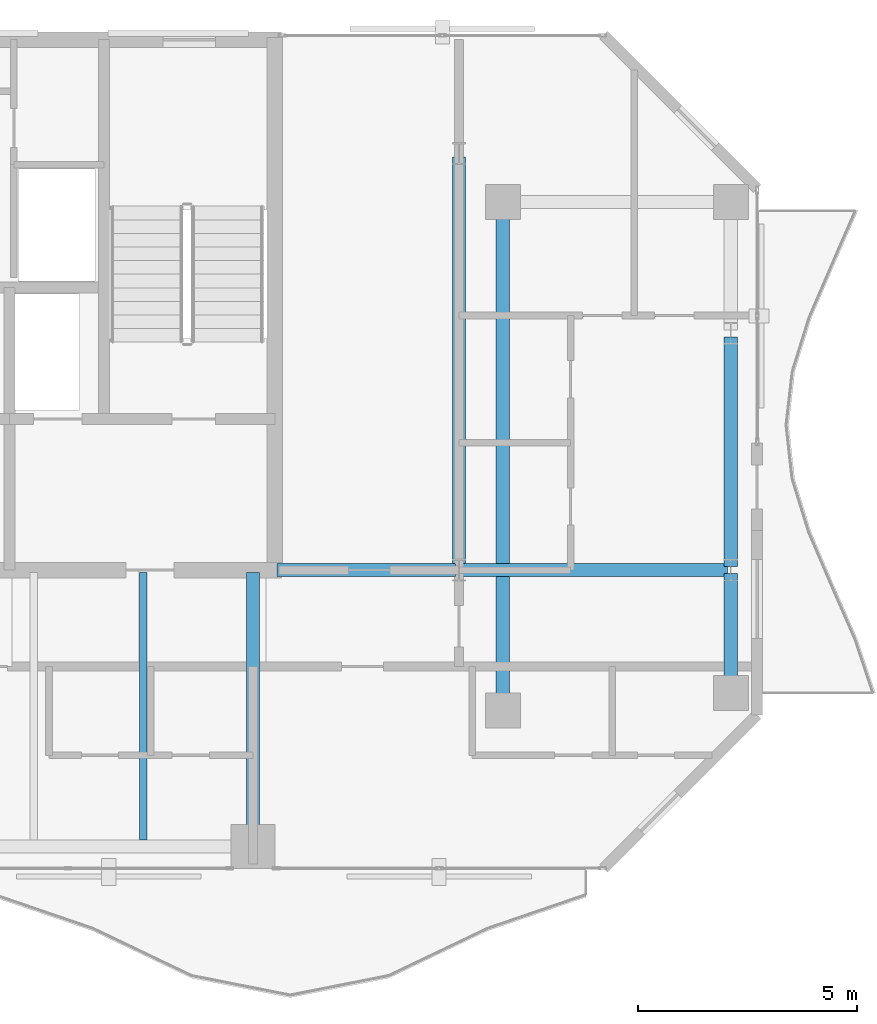
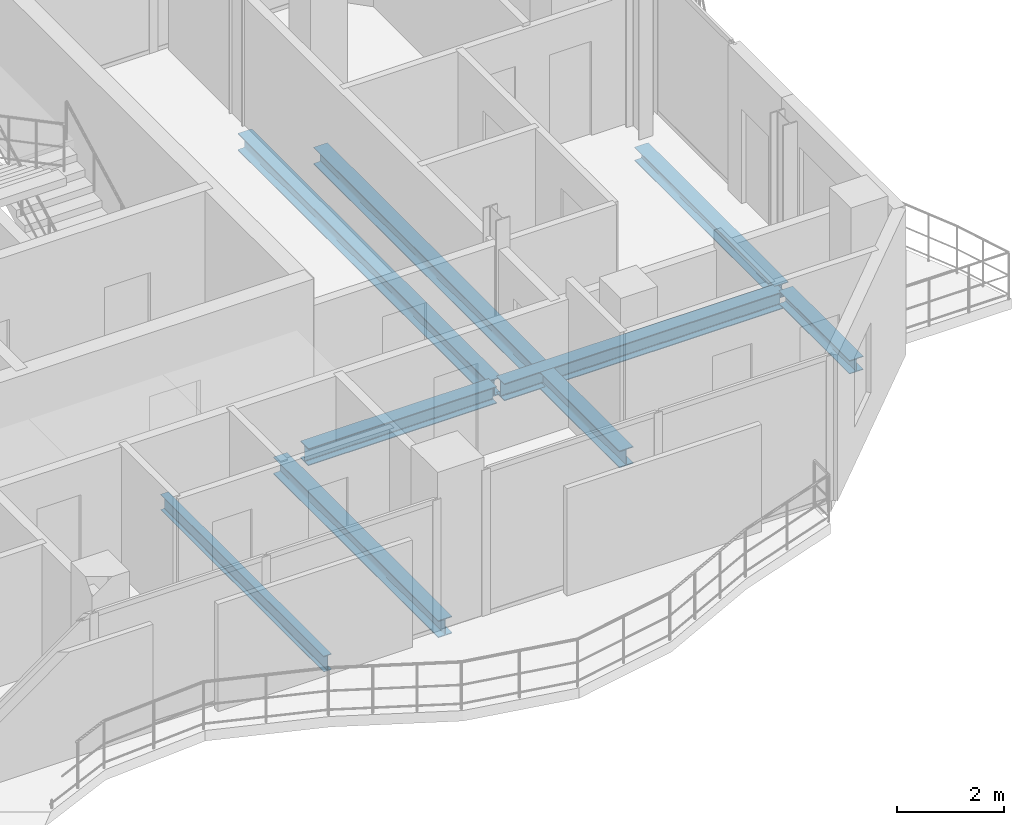
# One storey, part 13 of 24: 8 beams.
"""IFC4 building model written with IfcOpenShell, lengths in metres."""

from ifc_helpers import new_model, si_unit, direction, frame, origin, origin_2d, place, context, subcontext, project, spatial, i_section, extrude, material, material_profile, profile_set, type_object, element, save


model = new_model("IFC4")

# Units and contexts
model_context = context("Model", 3, precision=1e-05, world=origin(), true_north=direction((0.0, 1.0)))
body_context = subcontext(model_context, "Body", "Model", "MODEL_VIEW")
ifc_project = project(units=[si_unit("LENGTHUNIT", "METRE"), si_unit("AREAUNIT", "SQUARE_METRE"), si_unit("VOLUMEUNIT", "CUBIC_METRE"), si_unit("PLANEANGLEUNIT", "RADIAN"), si_unit("MASSUNIT", "GRAM", prefix="KILO")], contexts=[model_context])

# Site, building, storey
site_placement = place(None, origin())
site = spatial("IfcSite", under=ifc_project, at=site_placement, CompositionType="ELEMENT")
building_placement = place(site_placement, origin())
building = spatial("IfcBuilding", under=site, at=building_placement, Name="Catumbela Crestline Tower", CompositionType="ELEMENT")
storey_placement = place(building_placement, frame((0.0, 0.0, 161.4)))
storey = spatial("IfcBuildingStorey", under=building, at=storey_placement, Name="L41", CompositionType="ELEMENT", Elevation=161.4)

# Beams
ifc_material = material(Name="Structural steel S355J2", Category="steel")
ifc_material_profile_1 = material_profile(ifc_material, i_section(OverallWidth=0.3, OverallDepth=0.39, WebThickness=0.011, FlangeThickness=0.019, FilletRadius=0.027, at=origin_2d()), Name="HEA 400")
ifc_profile_set_1 = profile_set([ifc_material_profile_1], Name="Structural steel S355J2")
beam_type_1 = type_object("IfcBeamType", Name="BG-HEA400", PredefinedType="BEAM", material=ifc_profile_set_1)
beam_1_placement = place(storey_placement, frame((40.05, 30.8, -0.455), z_axis=(1.0, 0.0, 0.0), x_axis=(0.0, 1.0, 0.0)))
element("IfcBeam", 1, at=beam_1_placement, inside=storey, type_object=beam_type_1, Name="L41 Beam BM-L41-M08", PredefinedType="BEAM", context=body_context, shape_type="SweptSolid", body=[
    extrude(i_section(OverallWidth=0.3, OverallDepth=0.39, WebThickness=0.011, FlangeThickness=0.019, FilletRadius=0.027, at=origin_2d()), origin(), (0.0, 0.0, 1.0), 4.07),
])
beam_2_placement = place(storey_placement, frame((44.28, 30.8, -0.455), z_axis=(1.0, 0.0, 0.0), x_axis=(0.0, 1.0, 0.0)))
element("IfcBeam", 2, at=beam_2_placement, inside=storey, type_object=beam_type_1, Name="L41 Beam BM-L41-M09", PredefinedType="BEAM", context=body_context, shape_type="SweptSolid", body=[
    extrude(i_section(OverallWidth=0.3, OverallDepth=0.39, WebThickness=0.011, FlangeThickness=0.019, FilletRadius=0.027, at=origin_2d()), origin(), (0.0, 0.0, 1.0), 6.04),
])
beam_3_placement = place(storey_placement, frame((39.5, 24.58, -0.455), z_axis=(0.0, 1.0, 0.0), x_axis=(-1.0, 0.0, 0.0)))
element("IfcBeam", 3, at=beam_3_placement, inside=storey, type_object=beam_type_1, Name="L41 Beam BM-L41-SNS20", PredefinedType="BEAM", context=body_context, shape_type="SweptSolid", body=[
    extrude(i_section(OverallWidth=0.3, OverallDepth=0.39, WebThickness=0.011, FlangeThickness=0.019, FilletRadius=0.027, at=origin_2d()), origin(), (0.0, 0.0, 1.0), 6.17),
])
beam_4_placement = place(storey_placement, frame((44.2, 30.88, -0.455), z_axis=(0.0, 1.0, 0.0), x_axis=(-1.0, 0.0, 0.0)))
element("IfcBeam", 4, at=beam_4_placement, inside=storey, type_object=beam_type_1, Name="L41 Beam BM-L41-SN21", PredefinedType="BEAM", context=body_context, shape_type="SweptSolid", body=[
    extrude(i_section(OverallWidth=0.3, OverallDepth=0.39, WebThickness=0.011, FlangeThickness=0.019, FilletRadius=0.027, at=origin_2d()), origin(), (0.0, 0.0, 1.0), 9.34),
])
beam_5_placement = place(storey_placement, frame((45.2, 27.68, -0.455), z_axis=(0.0, 1.0, 0.0), x_axis=(-1.0, 0.0, 0.0)))
element("IfcBeam", 5, at=beam_5_placement, inside=storey, type_object=beam_type_1, Name="L41 Beam BM-L41-SN22", PredefinedType="BEAM", context=body_context, shape_type="SweptSolid", body=[
    extrude(i_section(OverallWidth=0.3, OverallDepth=0.39, WebThickness=0.011, FlangeThickness=0.019, FilletRadius=0.027, at=origin_2d()), origin(), (0.0, 0.0, 1.0), 11.44),
])
ifc_material_profile_2 = material_profile(ifc_material, i_section(OverallWidth=0.17, OverallDepth=0.36, WebThickness=0.008, FlangeThickness=0.0127, FilletRadius=0.018, at=origin_2d()), Name="IPE 360")
ifc_profile_set_2 = profile_set([ifc_material_profile_2], Name="Structural steel S355J2")
beam_type_2 = type_object("IfcBeamType", Name="BJ-IPE360", PredefinedType="JOIST", material=ifc_profile_set_2)
beam_6_placement = place(storey_placement, frame((37.0, 24.647, -0.44), z_axis=(0.0, 1.0, 0.0), x_axis=(-1.0, 0.0, 0.0)))
element("IfcBeam", 6, at=beam_6_placement, inside=storey, type_object=beam_type_2, Name="L41 Joist JS-L41-SP31", PredefinedType="JOIST", context=body_context, shape_type="SweptSolid", body=[
    extrude(i_section(OverallWidth=0.17, OverallDepth=0.36, WebThickness=0.008, FlangeThickness=0.0127, FilletRadius=0.018, at=origin_2d()), origin(), (0.0, 0.0, 1.0), 6.103),
])
ifc_material_profile_3 = material_profile(ifc_material, i_section(OverallWidth=0.3, OverallDepth=0.31, WebThickness=0.009, FlangeThickness=0.0155, FilletRadius=0.027, at=origin_2d()), Name="HEA 320")
ifc_profile_set_3 = profile_set([ifc_material_profile_3], Name="Structural steel S355J2")
beam_type_3 = type_object("IfcBeamType", Name="BS-HEA320", PredefinedType="SPANDREL", material=ifc_profile_set_3)
beam_7_placement = place(storey_placement, frame((50.4, 28.08, -0.415), z_axis=(0.0, 1.0, 0.0), x_axis=(-1.0, 0.0, 0.0)))
element("IfcBeam", 7, at=beam_7_placement, inside=storey, type_object=beam_type_3, Name="L41 Spandrel SP-L41-SN23", PredefinedType="SPANDREL", context=body_context, shape_type="SweptSolid", body=[
    extrude(i_section(OverallWidth=0.3, OverallDepth=0.31, WebThickness=0.009, FlangeThickness=0.0155, FilletRadius=0.027, at=origin_2d()), origin(), (0.0, 0.0, 1.0), 2.64),
])
beam_8_placement = place(storey_placement, frame((50.4, 30.88, -0.415), z_axis=(0.0, 1.0, 0.0), x_axis=(-1.0, 0.0, 0.0)))
element("IfcBeam", 8, at=beam_8_placement, inside=storey, type_object=beam_type_3, Name="L41 Spandrel SP-L41-SN24", PredefinedType="SPANDREL", context=body_context, shape_type="SweptSolid", body=[
    extrude(i_section(OverallWidth=0.3, OverallDepth=0.31, WebThickness=0.009, FlangeThickness=0.0155, FilletRadius=0.027, at=origin_2d()), origin(), (0.0, 0.0, 1.0), 5.24),
])

save(model, "model.ifc")
